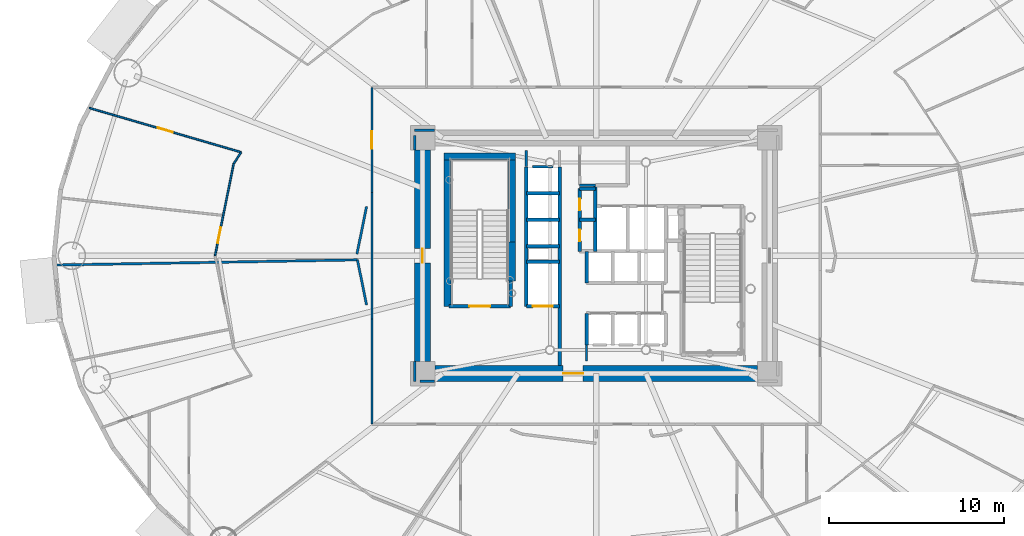
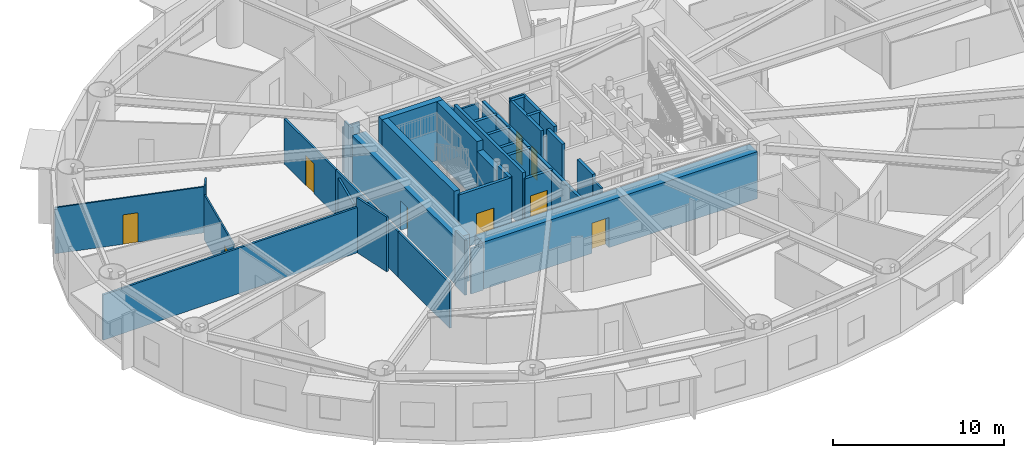
# One storey, part 9 of 21: 38 walls, 9 doors, 9 openings.
"""IFC4 building model written with IfcOpenShell, lengths in metres."""

from ifc_helpers import new_model, si_unit, direction, frame, frame_2d, origin, origin_2d, place, context, subcontext, project, spatial, rectangle, extrude, source, transform, mapped, material, layer, layer_set, type_object, element, fill, save


model = new_model("IFC4")

# Units and contexts
model_context = context("Model", 3, precision=1e-05, world=origin(), true_north=direction((0.0, 1.0)))
body_context = subcontext(model_context, "Body", "Model", "MODEL_VIEW")
ifc_project = project(units=[si_unit("LENGTHUNIT", "METRE"), si_unit("AREAUNIT", "SQUARE_METRE"), si_unit("VOLUMEUNIT", "CUBIC_METRE"), si_unit("PLANEANGLEUNIT", "RADIAN"), si_unit("MASSUNIT", "GRAM", prefix="KILO")], contexts=[model_context])

# Site, building, storey
site_placement = place(None, origin())
site = spatial("IfcSite", under=ifc_project, at=site_placement, CompositionType="ELEMENT")
building_placement = place(site_placement, origin())
building = spatial("IfcBuilding", under=site, at=building_placement, Name="Linh Dai School and Residence Tower", CompositionType="ELEMENT")
storey_placement = place(building_placement, frame((0.0, 0.0, 82.800048828125)))
storey = spatial("IfcBuildingStorey", under=building, at=storey_placement, Name="L19", CompositionType="ELEMENT", Elevation=82.800048828125)

# Walls
ifc_material_1 = material(Name="Autoclaved Aerated Concrete Blockwork", Category="masonry")
ifc_layer_1 = layer(ifc_material_1, 0.135009765625)
ifc_layer_set_1 = layer_set([ifc_layer_1], Name="Autoclaved Aerated Concrete Blockwork")
wall_type_1 = type_object("IfcWallType", Name="IW-CORR-135-EI90", PredefinedType="PARTITIONING", material=ifc_layer_set_1)
wall_1_placement = place(storey_placement, frame((4.9736328125, 26.466064453125, 0.0), z_axis=(0.0, 0.0, 1.0), x_axis=(0.999851881099, 0.017210922752, 0.0)))
element("IfcWall", 1, at=wall_1_placement, inside=storey, type_object=wall_type_1, Name="L19 Interior Partition Wall 001", PredefinedType="PARTITIONING", context=body_context, shape_type="SweptSolid", body=[
    extrude(rectangle(XDim=17.3486328125, YDim=0.135009765625, at=frame_2d((8.67431640625, 0.0))), origin(), (0.0, 0.0, 1.0), 3.23486328125),
])
wall_2_placement = place(storey_placement, frame((23.14990234375, 17.35009765625, 0.0), z_axis=(0.0, 0.0, 1.0), x_axis=(0.0, 1.0, 0.0)))
element("IfcWall", 2, at=wall_2_placement, inside=storey, type_object=wall_type_1, Name="L19 Interior Partition Wall 018", PredefinedType="PARTITIONING", context=body_context, shape_type="SweptSolid", body=[
    extrude(rectangle(XDim=6.011474609375, YDim=0.135009765625, at=frame_2d((3.005859375, 0.0))), origin(), (0.0, 0.0, 1.0), 3.23486328125),
])

# Wall, opening, door
wall_3_placement = place(storey_placement, frame((23.14990234375, 30.638427734375, 0.0), z_axis=(0.0, 0.0, 1.0), x_axis=(0.0, 1.0, 0.0)))
wall_3 = element("IfcWall", 3, at=wall_3_placement, inside=storey, type_object=wall_type_1, Name="L19 Interior Partition Wall 020", PredefinedType="PARTITIONING", context=body_context, shape_type="SweptSolid", body=[
    extrude(rectangle(XDim=6.011474609375, YDim=0.135009765625, at=frame_2d((3.005859375, 0.0))), origin(), (0.0, 0.0, 1.0), 3.23486328125),
])
opening_1_placement = place(wall_3_placement, frame((2.505859375, 0.0, 0.0)))
opening_1 = element("IfcOpeningElement", 4, at=opening_1_placement, cuts=wall_3, Name="Opening D03", PredefinedType="OPENING", context=body_context, shape_type="SweptSolid", body=[
    extrude(rectangle(XDim=1.0, YDim=2.14990234375, at=origin_2d()), frame((0.5, 0.07763671875, 1.074951171875), z_axis=(0.0, -1.0, 0.0), x_axis=(1.0, 0.0, 0.0)), (0.0, 0.0, 1.0), 0.155029296875),
])
ifc_material_2 = material(Name="Fire-Rated Solid Timber Entrance Door", Category="wood")
door_type_1 = type_object("IfcDoorType", Name="DR-FLAT-1000x2150-FD60S", OperationType="NOTDEFINED", PredefinedType="DOOR", material=ifc_material_2)
shared_shape_1 = source(origin(), body_context, "Body", "SweptSolid", [
    extrude(rectangle(XDim=1.0, YDim=2.14990234375, at=origin_2d()), frame((0.5, 0.02490234375, 1.074951171875), z_axis=(0.0, -1.0, 0.0), x_axis=(1.0, 0.0, 0.0)), (0.0, 0.0, 1.0), 0.050048828125),
])
door_1_placement = place(opening_1_placement, origin())
door_1 = element("IfcDoor", 5, at=door_1_placement, inside=storey, type_object=door_type_1, Name="L19 U1901 Apartment Entrance Door", OperationType="SINGLE_SWING_RIGHT", OverallHeight=2.14990234375, OverallWidth=1.0, PredefinedType="DOOR", context=body_context, shape_type="MappedRepresentation", body=[
    mapped(shared_shape_1, transform((0.0, 0.0, 0.0), x_axis=(1.0, 0.0, 0.0), y_axis=(0.0, 1.0, 0.0), z_axis=(0.0, 0.0, 1.0), scale=1.0)),
])
fill(opening_1, door_1)

# Walls
wall_4_placement = place(storey_placement, frame((35.050048828125, 31.050048828125, 0.0), z_axis=(0.0, 0.0, 1.0), x_axis=(1.0, 0.0, 0.0)))
element("IfcWall", 6, at=wall_4_placement, inside=storey, type_object=wall_type_1, Name="L19 Interior Partition Wall 047", PredefinedType="PARTITIONING", context=body_context, shape_type="SweptSolid", body=[
    extrude(rectangle(XDim=0.89990234375, YDim=0.135009765625, at=frame_2d((0.449951171875, 0.0))), origin(), (0.0, 0.0, 1.0), 3.89990234375),
])
wall_5_placement = place(storey_placement, frame((32.360107421875, 32.10009765625, 0.0), z_axis=(0.0, 0.0, 1.0), x_axis=(1.0, 0.0, 0.0)))
element("IfcWall", 7, at=wall_5_placement, inside=storey, type_object=wall_type_1, Name="L19 Interior Partition Wall 106", PredefinedType="PARTITIONING", context=body_context, shape_type="SweptSolid", body=[
    extrude(rectangle(XDim=1.179931640625, YDim=0.135009765625, at=frame_2d((0.58984375, 0.0))), origin(), (0.0, 0.0, 1.0), 3.48486328125),
])
wall_6_placement = place(storey_placement, frame((32.0, 33.0400390625, 0.0), z_axis=(0.0, 0.0, 1.0), x_axis=(0.0, -1.0, 0.0)))
element("IfcWall", 8, at=wall_6_placement, inside=storey, type_object=wall_type_1, Name="L19 Interior Partition Wall 108", PredefinedType="PARTITIONING", context=body_context, shape_type="SweptSolid", body=[
    extrude(rectangle(XDim=0.929931640625, YDim=0.135009765625, at=frame_2d((0.46484375, 0.0))), origin(), (0.0, 0.0, 1.0), 3.43505859375),
])
wall_7_placement = place(storey_placement, frame((35.449951171875, 21.889892578125, 0.0), z_axis=(0.0, 0.0, 1.0), x_axis=(0.0, -1.0, 0.0)))
element("IfcWall", 9, at=wall_7_placement, inside=storey, type_object=wall_type_1, Name="L19 Interior Partition Wall 110", PredefinedType="PARTITIONING", context=body_context, shape_type="SweptSolid", body=[
    extrude(rectangle(XDim=0.929931640625, YDim=0.135009765625, at=frame_2d((0.46484375, 0.0))), origin(), (0.0, 0.0, 1.0), 3.48486328125),
])
wall_8_placement = place(storey_placement, frame((23.14990234375, 23.37158203125, 0.0), z_axis=(0.0, 0.0, 1.0), x_axis=(0.0, 1.0, 0.0)))
element("IfcWall", 10, at=wall_8_placement, inside=storey, type_object=wall_type_1, Name="L19 Interior Partition Wall 117", PredefinedType="PARTITIONING", context=body_context, shape_type="SweptSolid", body=[
    extrude(rectangle(XDim=7.2568359375, YDim=0.135009765625, at=frame_2d((3.62841796875, 0.0))), origin(), (0.0, 0.0, 1.0), 3.23486328125),
])
wall_9_placement = place(storey_placement, frame((26.739990234375, 34.199951171875, 0.0), z_axis=(0.0, 0.0, 1.0), x_axis=(-1.0, 0.0, 0.0)))
element("IfcWall", 11, at=wall_9_placement, inside=storey, type_object=wall_type_1, Name="L19 Interior Partition Wall 119", PredefinedType="PARTITIONING", context=body_context, shape_type="SweptSolid", body=[
    extrude(rectangle(XDim=1.139892578125, YDim=0.135009765625, at=frame_2d((0.56982421875, 0.0))), origin(), (0.0, 0.0, 1.0), 3.23486328125),
])
wall_10_placement = place(storey_placement, frame((25.60009765625, 33.892578125, 0.0), z_axis=(0.0, 0.0, 1.0), x_axis=(0.0, -1.0, 0.0)))
element("IfcWall", 12, at=wall_10_placement, inside=storey, type_object=wall_type_1, Name="L19 Interior Partition Wall 120", PredefinedType="PARTITIONING", context=body_context, shape_type="SweptSolid", body=[
    extrude(rectangle(XDim=0.83251953125, YDim=0.135009765625, at=frame_2d((0.416259765625, 0.0))), origin(), (0.0, 0.0, 1.0), 3.89990234375),
])
wall_11_placement = place(storey_placement, frame((25.60009765625, 20.93994140625, 0.0), z_axis=(0.0, 0.0, 1.0), x_axis=(0.0, -1.0, 0.0)))
element("IfcWall", 13, at=wall_11_placement, inside=storey, type_object=wall_type_1, Name="L19 Interior Partition Wall 121", PredefinedType="PARTITIONING", context=body_context, shape_type="SweptSolid", body=[
    extrude(rectangle(XDim=1.139892578125, YDim=0.135009765625, at=frame_2d((0.56982421875, 0.0))), origin(), (0.0, 0.0, 1.0), 3.89990234375),
])
wall_12_placement = place(storey_placement, frame((25.907470703125, 19.800048828125, 0.0), z_axis=(0.0, 0.0, 1.0), x_axis=(1.0, 0.0, 0.0)))
element("IfcWall", 14, at=wall_12_placement, inside=storey, type_object=wall_type_1, Name="L19 Interior Partition Wall 122", PredefinedType="PARTITIONING", context=body_context, shape_type="SweptSolid", body=[
    extrude(rectangle(XDim=0.83251953125, YDim=0.135009765625, at=frame_2d((0.416259765625, 0.0))), origin(), (0.0, 0.0, 1.0), 3.23486328125),
])
wall_13_placement = place(storey_placement, frame((22.842529296875, 29.8203125, 0.0), z_axis=(0.0, 0.0, 1.0), x_axis=(-0.198274261102, -0.98014657954, 0.0)))
element("IfcWall", 15, at=wall_13_placement, inside=storey, type_object=wall_type_1, Name="L19 Interior Partition Wall 128", PredefinedType="PARTITIONING", context=body_context, shape_type="SweptSolid", body=[
    extrude(rectangle(XDim=2.783935546875, YDim=0.135009765625, at=frame_2d((1.39208984375, 0.0))), origin(), (0.0, 0.0, 1.0), 3.23486328125),
])
wall_14_placement = place(storey_placement, frame((22.319580078125, 26.7646484375, 0.0), z_axis=(0.0, 0.0, 1.0), x_axis=(0.198287516938, -0.980143897918, 0.0)))
element("IfcWall", 16, at=wall_14_placement, inside=storey, type_object=wall_type_1, Name="L19 Interior Partition Wall 130", PredefinedType="PARTITIONING", context=body_context, shape_type="SweptSolid", body=[
    extrude(rectangle(XDim=2.63720703125, YDim=0.135009765625, at=frame_2d((1.318603515625, 0.0))), origin(), (0.0, 0.0, 1.0), 3.89990234375),
])

# Wall, opening, door
ifc_material_3 = material(Name="Concrete B45 (C35/45)", Category="concrete")
ifc_layer_2 = layer(ifc_material_3, 0.199951171875)
ifc_layer_set_2 = layer_set([ifc_layer_2], Name="Concrete B45 (C35/45)")
wall_type_2 = type_object("IfcWallType", Name="IW-SHAFT-200-EI120", PredefinedType="PARTITIONING", material=ifc_layer_set_2)
wall_15_placement = place(storey_placement, frame((27.56005859375, 24.10009765625, 0.0), z_axis=(0.0, 0.0, 1.0), x_axis=(1.0, 0.0, 0.0)))
wall_15 = element("IfcWall", 17, at=wall_15_placement, inside=storey, type_object=wall_type_2, Name="L19 Interior Partition Wall 026", PredefinedType="PARTITIONING", context=body_context, shape_type="SweptSolid", body=[
    extrude(rectangle(XDim=3.5400390625, YDim=0.199951171875, at=frame_2d((1.77001953125, 0.0))), origin(), (0.0, 0.0, 1.0), 3.89990234375),
])
opening_2_placement = place(wall_15_placement, frame((1.169921875, 0.0, 0.0)))
opening_2 = element("IfcOpeningElement", 18, at=opening_2_placement, cuts=wall_15, Name="Opening D01", PredefinedType="OPENING", context=body_context, shape_type="SweptSolid", body=[
    extrude(rectangle(XDim=1.199951171875, YDim=2.14990234375, at=origin_2d()), frame((0.60009765625, 0.10986328125, 1.074951171875), z_axis=(0.0, -1.0, 0.0), x_axis=(1.0, 0.0, 0.0)), (0.0, 0.0, 1.0), 0.219970703125),
])
ifc_material_4 = material(Name="Fire-Rated Steel Door Leaf", Category="steel")
door_type_2 = type_object("IfcDoorType", Name="DR-STAIR-1200x2150-FD90S", OperationType="NOTDEFINED", PredefinedType="DOOR", material=ifc_material_4)
shared_shape_2 = source(origin(), body_context, "Body", "SweptSolid", [
    extrude(rectangle(XDim=1.199951171875, YDim=2.14990234375, at=origin_2d()), frame((0.60009765625, 0.02490234375, 1.074951171875), z_axis=(0.0, -1.0, 0.0), x_axis=(1.0, 0.0, 0.0)), (0.0, 0.0, 1.0), 0.050048828125),
])
door_2_placement = place(opening_2_placement, origin())
door_2 = element("IfcDoor", 19, at=door_2_placement, inside=storey, type_object=door_type_2, Name="L19 Core Smokeproof Exit Stair ST1 Door", OperationType="SINGLE_SWING_RIGHT", OverallHeight=2.14990234375, OverallWidth=1.199951171875, PredefinedType="DOOR", context=body_context, shape_type="MappedRepresentation", body=[
    mapped(shared_shape_2, transform((0.0, 0.0, 0.0), x_axis=(1.0, 0.0, 0.0), y_axis=(0.0, 1.0, 0.0), z_axis=(0.0, 0.0, 1.0), scale=1.0)),
])
fill(opening_2, door_2)

# Walls
wall_16_placement = place(storey_placement, frame((31.10009765625, 24.10009765625, 0.0), z_axis=(0.0, 0.0, 1.0), x_axis=(0.0, 1.0, 0.0)))
element("IfcWall", 20, at=wall_16_placement, inside=storey, type_object=wall_type_2, Name="L19 Interior Partition Wall 033", PredefinedType="PARTITIONING", context=body_context, shape_type="SweptSolid", body=[
    extrude(rectangle(XDim=1.43994140625, YDim=0.199951171875, at=frame_2d((0.719970703125, 0.0))), origin(), (0.0, 0.0, 1.0), 3.89990234375),
])
wall_17_placement = place(storey_placement, frame((32.0, 24.10009765625, 0.0), z_axis=(0.0, 0.0, 1.0), x_axis=(0.0, 1.0, 0.0)))
element("IfcWall", 21, at=wall_17_placement, inside=storey, type_object=wall_type_2, Name="L19 Interior Partition Wall 034", PredefinedType="PARTITIONING", context=body_context, shape_type="SweptSolid", body=[
    extrude(rectangle(XDim=8.0, YDim=0.199951171875, at=frame_2d((4.0, 0.0))), origin(), (0.0, 0.0, 1.0), 3.89990234375),
])

# Wall, opening, door
wall_18_placement = place(storey_placement, frame((32.0, 24.10009765625, 0.0), z_axis=(0.0, 0.0, 1.0), x_axis=(1.0, 0.0, 0.0)))
wall_18 = element("IfcWall", 22, at=wall_18_placement, inside=storey, type_object=wall_type_2, Name="L19 Interior Partition Wall 035", PredefinedType="PARTITIONING", context=body_context, shape_type="SweptSolid", body=[
    extrude(rectangle(XDim=1.89990234375, YDim=0.199951171875, at=frame_2d((0.949951171875, 0.0))), origin(), (0.0, 0.0, 1.0), 3.48486328125),
])
opening_3_placement = place(wall_18_placement, frame((0.375, 0.0, 0.0)))
opening_3 = element("IfcOpeningElement", 23, at=opening_3_placement, cuts=wall_18, Name="Opening LD-FF2", PredefinedType="OPENING", context=body_context, shape_type="SweptSolid", body=[
    extrude(rectangle(XDim=1.14990234375, YDim=2.14990234375, at=origin_2d()), frame((0.574951171875, 0.10986328125, 1.074951171875), z_axis=(0.0, -1.0, 0.0), x_axis=(1.0, 0.0, 0.0)), (0.0, 0.0, 1.0), 0.219970703125),
])
ifc_material_5 = material(Name="Fire-Rated Stainless Steel Firefighting Lift Door", Category="steel")
door_type_3 = type_object("IfcDoorType", Name="DR-LD-FF-1150x2150-FD120", OperationType="DOUBLE_DOOR_SLIDING", PredefinedType="USERDEFINED", material=ifc_material_5)
shared_shape_3 = source(origin(), body_context, "Body", "SweptSolid", [
    extrude(rectangle(XDim=1.14990234375, YDim=2.14990234375, at=origin_2d()), frame((0.574951171875, 0.02490234375, 1.074951171875), z_axis=(0.0, -1.0, 0.0), x_axis=(1.0, 0.0, 0.0)), (0.0, 0.0, 1.0), 0.050048828125),
])
door_3_placement = place(opening_3_placement, origin())
door_3 = element("IfcDoor", 24, at=door_3_placement, inside=storey, type_object=door_type_3, Name="L19 Lift FF2 Sliding Landing Door", ObjectType="LANDING DOOR", OperationType="DOUBLE_DOOR_SLIDING", OverallHeight=2.14990234375, OverallWidth=1.14990234375, PredefinedType="USERDEFINED", context=body_context, shape_type="MappedRepresentation", body=[
    mapped(shared_shape_3, transform((0.0, 0.0, 0.0), x_axis=(1.0, 0.0, 0.0), y_axis=(0.0, 1.0, 0.0), z_axis=(0.0, 0.0, 1.0), scale=1.0)),
])
fill(opening_3, door_3)

# Walls
for number, where, z_axis, x_axis, name in (
    (25, (32.0, 26.64990234375, 0.0), (0.0, 0.0, 1.0), (1.0, 0.0, 0.0), "L19 Interior Partition Wall 036"),
    (26, (32.0, 27.550048828125, 0.0), (0.0, 0.0, 1.0), (1.0, 0.0, 0.0), "L19 Interior Partition Wall 037"),
    (27, (32.0, 29.06005859375, 0.0), (0.0, 0.0, 1.0), (1.0, 0.0, 0.0), "L19 Interior Partition Wall 038"),
    (28, (32.0, 30.580078125, 0.0), (0.0, 0.0, 1.0), (1.0, 0.0, 0.0), "L19 Interior Partition Wall 039"),
):
    element("IfcWall", number, at=place(storey_placement, frame(where, z_axis=z_axis, x_axis=x_axis)), inside=storey, type_object=wall_type_2, Name=name, PredefinedType="PARTITIONING", context=body_context, shape_type="SweptSolid", body=[
        extrude(rectangle(XDim=1.89990234375, YDim=0.199951171875, at=frame_2d((0.949951171875, 0.0))), origin(), (0.0, 0.0, 1.0), 3.48486328125),
    ])
wall_19_placement = place(storey_placement, frame((33.89990234375, 20.699951171875, 0.0), z_axis=(0.0, 0.0, 1.0), x_axis=(0.0, 1.0, 0.0)))
element("IfcWall", 29, at=wall_19_placement, inside=storey, type_object=wall_type_2, Name="L19 Interior Partition Wall 041", PredefinedType="PARTITIONING", context=body_context, shape_type="SweptSolid", body=[
    extrude(rectangle(XDim=11.400146484375, YDim=0.199951171875, at=frame_2d((5.7001953125, 0.0))), origin(), (0.0, 0.0, 1.0), 3.48486328125),
])

# Wall, openings, doors
wall_20_placement = place(storey_placement, frame((35.050048828125, 27.25, 0.0), z_axis=(0.0, 0.0, 1.0), x_axis=(0.0, 1.0, 0.0)))
wall_20 = element("IfcWall", 30, at=wall_20_placement, inside=storey, type_object=wall_type_2, Name="L19 Interior Partition Wall 042", PredefinedType="PARTITIONING", context=body_context, shape_type="SweptSolid", body=[
    extrude(rectangle(XDim=3.60009765625, YDim=0.199951171875, at=frame_2d((1.800048828125, 0.0))), origin(), (0.0, 0.0, 1.0), 3.89990234375),
])
opening_4_placement = place(wall_20_placement, frame((0.590087890625, 0.0, 0.0)))
opening_4 = element("IfcOpeningElement", 31, at=opening_4_placement, cuts=wall_20, Name="Opening AD1", PredefinedType="OPENING", context=body_context, shape_type="SweptSolid", body=[
    extrude(rectangle(XDim=0.659912109375, YDim=2.050048828125, at=origin_2d()), frame((0.330078125, 0.10986328125, 1.02490234375), z_axis=(0.0, -1.0, 0.0), x_axis=(1.0, 0.0, 0.0)), (0.0, 0.0, 1.0), 0.219970703125),
])
opening_5_placement = place(wall_20_placement, frame((2.35009765625, 0.0, 0.0)))
opening_5 = element("IfcOpeningElement", 32, at=opening_5_placement, cuts=wall_20, Name="Opening AD1", PredefinedType="OPENING", context=body_context, shape_type="SweptSolid", body=[
    extrude(rectangle(XDim=0.659912109375, YDim=2.050048828125, at=origin_2d()), frame((0.330078125, 0.10986328125, 1.02490234375), z_axis=(0.0, -1.0, 0.0), x_axis=(1.0, 0.0, 0.0)), (0.0, 0.0, 1.0), 0.219970703125),
])
ifc_material_6 = material(Name="Fire-Rated Steel Riser Access Door", Category="steel")
door_type_4 = type_object("IfcDoorType", Name="DR-ACC-660x2050-FD90S", OperationType="NOTDEFINED", PredefinedType="USERDEFINED", material=ifc_material_6)
shared_shape_4 = source(origin(), body_context, "Body", "SweptSolid", [
    extrude(rectangle(XDim=0.659912109375, YDim=2.050048828125, at=origin_2d()), frame((0.330078125, 0.02490234375, 1.02490234375), z_axis=(0.0, -1.0, 0.0), x_axis=(1.0, 0.0, 0.0)), (0.0, 0.0, 1.0), 0.050048828125),
])
door_4_placement = place(opening_4_placement, origin())
door_4 = element("IfcDoor", 33, at=door_4_placement, inside=storey, type_object=door_type_4, Name="L19 Telecom and Data Riser Access Door", ObjectType="ACCESS DOOR", OperationType="SINGLE_SWING_LEFT", OverallHeight=2.050048828125, OverallWidth=0.659912109375, PredefinedType="USERDEFINED", context=body_context, shape_type="MappedRepresentation", body=[
    mapped(shared_shape_4, transform((0.0, 0.0, 0.0), x_axis=(1.0, 0.0, 0.0), y_axis=(0.0, 1.0, 0.0), z_axis=(0.0, 0.0, 1.0), scale=1.0)),
])
fill(opening_4, door_4)
door_5_placement = place(opening_5_placement, origin())
door_5 = element("IfcDoor", 34, at=door_5_placement, inside=storey, type_object=door_type_4, Name="L19 Mechanical and Plumbing Riser Access Door", ObjectType="ACCESS DOOR", OperationType="SINGLE_SWING_RIGHT", OverallHeight=2.050048828125, OverallWidth=0.659912109375, PredefinedType="USERDEFINED", context=body_context, shape_type="MappedRepresentation", body=[
    mapped(shared_shape_4, transform((0.0, 0.0, 0.0), x_axis=(1.0, 0.0, 0.0), y_axis=(0.0, 1.0, 0.0), z_axis=(0.0, 0.0, 1.0), scale=1.0)),
])
fill(opening_5, door_5)

# Walls
for number, where, z_axis, x_axis, name in (
    (35, (35.050048828125, 29.050048828125, 0.0), (0.0, 0.0, 1.0), (1.0, 0.0, 0.0), "L19 Interior Partition Wall 044"),
    (36, (35.050048828125, 30.85009765625, 0.0), (0.0, 0.0, 1.0), (1.0, 0.0, 0.0), "L19 Interior Partition Wall 045"),
):
    element("IfcWall", number, at=place(storey_placement, frame(where, z_axis=z_axis, x_axis=x_axis)), inside=storey, type_object=wall_type_2, Name=name, PredefinedType="PARTITIONING", context=body_context, shape_type="SweptSolid", body=[
        extrude(rectangle(XDim=0.89990234375, YDim=0.199951171875, at=frame_2d((0.449951171875, 0.0))), origin(), (0.0, 0.0, 1.0), 3.89990234375),
    ])
for number, where, z_axis, x_axis, name in (
    (37, (35.449951171875, 21.89990234375, 0.0), (0.0, 0.0, 1.0), (0.0, 1.0, 0.0), "L19 Interior Partition Wall 048"),
    (38, (35.449951171875, 25.449951171875, 0.0), (0.0, 0.0, 1.0), (0.0, 1.0, 0.0), "L19 Interior Partition Wall 050"),
):
    element("IfcWall", number, at=place(storey_placement, frame(where, z_axis=z_axis, x_axis=x_axis)), inside=storey, type_object=wall_type_2, Name=name, PredefinedType="PARTITIONING", context=body_context, shape_type="SweptSolid", body=[
        extrude(rectangle(XDim=1.800048828125, YDim=0.199951171875, at=frame_2d((0.89990234375, 0.0))), origin(), (0.0, 0.0, 1.0), 3.89990234375),
    ])
wall_21_placement = place(storey_placement, frame((35.949951171875, 27.25, 0.0), z_axis=(0.0, 0.0, 1.0), x_axis=(0.0, 1.0, 0.0)))
element("IfcWall", 39, at=wall_21_placement, inside=storey, type_object=wall_type_2, Name="L19 Interior Partition Wall 052", PredefinedType="PARTITIONING", context=body_context, shape_type="SweptSolid", body=[
    extrude(rectangle(XDim=3.800048828125, YDim=0.199951171875, at=frame_2d((1.89990234375, 0.0))), origin(), (0.0, 0.0, 1.0), 3.89990234375),
])

# Wall, opening, door
ifc_material_7 = material(Name="Gypsum Plasterboard Acoustic Stud Partition", Category="masonry")
ifc_layer_3 = layer(ifc_material_7, 0.10009765625)
ifc_layer_set_3 = layer_set([ifc_layer_3], Name="Gypsum Plasterboard Acoustic Stud Partition")
wall_type_3 = type_object("IfcWallType", Name="IW-UNIT-100", PredefinedType="PARTITIONING", material=ifc_layer_set_3)
wall_22_placement = place(storey_placement, frame((6.95068359375, 35.472900390625, 0.0), z_axis=(0.0, 0.0, 1.0), x_axis=(0.959994871391, -0.280017583204, 0.0)))
wall_22 = element("IfcWall", 40, at=wall_22_placement, inside=storey, type_object=wall_type_3, Name="L19 Interior Partition Wall 004", PredefinedType="PARTITIONING", context=body_context, shape_type="SweptSolid", body=[
    extrude(rectangle(XDim=9.06396484375, YDim=0.10009765625, at=frame_2d((4.531982421875, 0.0))), origin(), (0.0, 0.0, 1.0), 3.284912109375),
])
opening_6_placement = place(wall_22_placement, frame((4.08203125, 0.0, 0.0)))
opening_6 = element("IfcOpeningElement", 41, at=opening_6_placement, cuts=wall_22, Name="Opening D05", PredefinedType="OPENING", context=body_context, shape_type="SweptSolid", body=[
    extrude(rectangle(XDim=0.89990234375, YDim=2.10009765625, at=origin_2d()), frame((0.449951171875, 0.06005859375, 1.050048828125), z_axis=(0.0, -1.0, 0.0), x_axis=(1.0, 0.0, 0.0)), (0.0, 0.0, 1.0), 0.1201171875),
])
ifc_material_8 = material(Name="Engineered Timber Internal Door", Category="wood")
door_type_5 = type_object("IfcDoorType", Name="DR-INT-900x2100", OperationType="NOTDEFINED", PredefinedType="DOOR", material=ifc_material_8)
shared_shape_5 = source(origin(), body_context, "Body", "SweptSolid", [
    extrude(rectangle(XDim=0.89990234375, YDim=2.10009765625, at=origin_2d()), frame((0.449951171875, 0.02490234375, 1.050048828125), z_axis=(0.0, -1.0, 0.0), x_axis=(1.0, 0.0, 0.0)), (0.0, 0.0, 1.0), 0.050048828125),
])
door_6_placement = place(opening_6_placement, origin())
door_6 = element("IfcDoor", 42, at=door_6_placement, inside=storey, type_object=door_type_5, Name="L19 Apartment U1901 Principal Bedroom 3 Door", OperationType="SINGLE_SWING_LEFT", OverallHeight=2.10009765625, OverallWidth=0.89990234375, PredefinedType="DOOR", context=body_context, shape_type="MappedRepresentation", body=[
    mapped(shared_shape_5, transform((0.0, 0.0, 0.0), x_axis=(1.0, 0.0, 0.0), y_axis=(0.0, 1.0, 0.0), z_axis=(0.0, 0.0, 1.0), scale=1.0)),
])
fill(opening_6, door_6)

wall_23_placement = place(storey_placement, frame((14.159912109375, 27.0, 0.0), z_axis=(0.0, 0.0, 1.0), x_axis=(0.198292702032, 0.980142848936, 0.0)))
wall_23 = element("IfcWall", 43, at=wall_23_placement, inside=storey, type_object=wall_type_3, Name="L19 Interior Partition Wall 011", PredefinedType="PARTITIONING", context=body_context, shape_type="SweptSolid", body=[
    extrude(rectangle(XDim=5.3916015625, YDim=0.10009765625, at=frame_2d((2.69580078125, 0.0))), origin(), (0.0, 0.0, 1.0), 3.23486328125),
])
opening_7_placement = place(wall_23_placement, frame((0.748779296875, 0.0, 0.0)))
opening_7 = element("IfcOpeningElement", 44, at=opening_7_placement, cuts=wall_23, Name="Opening D05", PredefinedType="OPENING", context=body_context, shape_type="SweptSolid", body=[
    extrude(rectangle(XDim=0.89990234375, YDim=2.10009765625, at=origin_2d()), frame((0.449951171875, 0.06005859375, 1.050048828125), z_axis=(0.0, -1.0, 0.0), x_axis=(1.0, 0.0, 0.0)), (0.0, 0.0, 1.0), 0.1201171875),
])
door_7_placement = place(opening_7_placement, origin())
door_7 = element("IfcDoor", 45, at=door_7_placement, inside=storey, type_object=door_type_5, Name="L19 Apartment U1901 Study Door", OperationType="SINGLE_SWING_RIGHT", OverallHeight=2.10009765625, OverallWidth=0.89990234375, PredefinedType="DOOR", context=body_context, shape_type="MappedRepresentation", body=[
    mapped(shared_shape_5, transform((0.0, 0.0, 0.0), x_axis=(1.0, 0.0, 0.0), y_axis=(0.0, 1.0, 0.0), z_axis=(0.0, 0.0, 1.0), scale=1.0)),
])
fill(opening_7, door_7)

# Walls
wall_24_placement = place(storey_placement, frame((15.22900390625, 32.284423828125, 0.0), z_axis=(0.0, 0.0, 1.0), x_axis=(0.545297991952, 0.838242268067, 0.0)))
element("IfcWall", 46, at=wall_24_placement, inside=storey, type_object=wall_type_3, Name="L19 Interior Partition Wall 013", PredefinedType="PARTITIONING", context=body_context, shape_type="SweptSolid", body=[
    extrude(rectangle(XDim=0.77587890625, YDim=0.10009765625, at=frame_2d((0.387939453125, 0.0))), origin(), (0.0, 0.0, 1.0), 3.89990234375),
])
ifc_layer_4 = layer(ifc_material_3, 0.39990234375)
ifc_layer_set_4 = layer_set([ifc_layer_4], Name="Concrete B45 (C35/45)")
wall_type_4 = type_object("IfcWallType", Name="WL-CORE400", PredefinedType="SHEAR", material=ifc_layer_set_4)
wall_25_placement = place(storey_placement, frame((27.47998046875, 24.10009765625, 0.0), z_axis=(0.0, 0.0, 1.0), x_axis=(0.0, 1.0, 0.0)))
element("IfcWall", 47, at=wall_25_placement, inside=storey, type_object=wall_type_4, Name="L19 Core Stair ST1 Bearing Wall W", PredefinedType="SHEAR", context=body_context, shape_type="SweptSolid", body=[
    extrude(rectangle(XDim=8.599853515625, YDim=0.39990234375, at=frame_2d((4.2998046875, 0.0))), origin(), (0.0, 0.0, 1.0), 4.199951171875),
])
wall_26_placement = place(storey_placement, frame((31.179931640625, 27.800048828125, 0.0), z_axis=(0.0, 0.0, 1.0), x_axis=(0.0, 1.0, 0.0)))
element("IfcWall", 48, at=wall_26_placement, inside=storey, type_object=wall_type_4, Name="L19 Core Stair ST1 Bearing Wall E", PredefinedType="SHEAR", context=body_context, shape_type="SweptSolid", body=[
    extrude(rectangle(XDim=4.89990234375, YDim=0.39990234375, at=frame_2d((2.449951171875, 0.0))), origin(), (0.0, 0.0, 1.0), 4.199951171875),
])
wall_27_placement = place(storey_placement, frame((27.280029296875, 32.699951171875, 0.0), z_axis=(0.0, 0.0, 1.0), x_axis=(1.0, 0.0, 0.0)))
element("IfcWall", 49, at=wall_27_placement, inside=storey, type_object=wall_type_4, Name="L19 Core Stair ST1 Bearing Wall N", PredefinedType="SHEAR", context=body_context, shape_type="SweptSolid", body=[
    extrude(rectangle(XDim=4.099853515625, YDim=0.39990234375, at=frame_2d((2.0498046875, 0.0))), origin(), (0.0, 0.0, 1.0), 4.199951171875),
])
wall_28_placement = place(storey_placement, frame((31.179931640625, 25.550048828125, 0.0), z_axis=(0.0, 0.0, 1.0), x_axis=(0.0, 1.0, 0.0)))
element("IfcWall", 50, at=wall_28_placement, inside=storey, type_object=wall_type_4, Name="L19 Internal Core Shear Wall IW", PredefinedType="SHEAR", context=body_context, shape_type="SweptSolid", body=[
    extrude(rectangle(XDim=2.25, YDim=0.39990234375, at=frame_2d((1.125, 0.0))), origin(), (0.0, 0.0, 1.0), 3.5),
])

# Wall, opening, door
ifc_material_9 = material(Name="Concrete B60 (C50/60)", Category="concrete")
ifc_layer_5 = layer(ifc_material_9, 0.89990234375)
ifc_layer_set_5 = layer_set([ifc_layer_5], Name="Concrete B60 (C50/60)")
wall_type_5 = type_object("IfcWallType", Name="WL-CORE900", PredefinedType="SHEAR", material=ifc_layer_set_5)
wall_29_placement = place(storey_placement, frame((45.25, 20.25, 0.0), z_axis=(0.0, 0.0, 1.0), x_axis=(-1.0, 0.0, 0.0)))
wall_29 = element("IfcWall", 51, at=wall_29_placement, inside=storey, type_object=wall_type_5, Name="L19 Central Core Shear Wall S", PredefinedType="SHEAR", context=body_context, shape_type="SweptSolid", body=[
    extrude(rectangle(XDim=18.5, YDim=0.89990234375, at=frame_2d((9.25, 0.0))), origin(), (0.0, 0.0, 1.0), 3.349853515625),
])
opening_8_placement = place(wall_29_placement, frame((10.0, 0.0, 0.0)))
opening_8 = element("IfcOpeningElement", 52, at=opening_8_placement, cuts=wall_29, Name="Opening D02", PredefinedType="OPENING", context=body_context, shape_type="SweptSolid", body=[
    extrude(rectangle(XDim=1.14990234375, YDim=2.14990234375, at=origin_2d()), frame((0.574951171875, 0.4599609375, 1.074951171875), z_axis=(0.0, -1.0, 0.0), x_axis=(1.0, 0.0, 0.0)), (0.0, 0.0, 1.0), 0.919921875),
])
ifc_material_10 = material(Name="Fire-Rated Glazed Steel Lobby Door", Category="steel")
door_type_6 = type_object("IfcDoorType", Name="DR-LOBBY-1150x2150-FD90S", OperationType="NOTDEFINED", PredefinedType="DOOR", material=ifc_material_10)
shared_shape_6 = source(origin(), body_context, "Body", "SweptSolid", [
    extrude(rectangle(XDim=1.14990234375, YDim=2.14990234375, at=origin_2d()), frame((0.574951171875, 0.02490234375, 1.074951171875), z_axis=(0.0, -1.0, 0.0), x_axis=(1.0, 0.0, 0.0)), (0.0, 0.0, 1.0), 0.050048828125),
])
door_8_placement = place(opening_8_placement, origin())
door_8 = element("IfcDoor", 53, at=door_8_placement, inside=storey, type_object=door_type_6, Name="L19 Passenger Foyer Access Door", OperationType="SINGLE_SWING_LEFT", OverallHeight=2.14990234375, OverallWidth=1.14990234375, PredefinedType="DOOR", context=body_context, shape_type="MappedRepresentation", body=[
    mapped(shared_shape_6, transform((0.0, 0.0, 0.0), x_axis=(1.0, 0.0, 0.0), y_axis=(0.0, 1.0, 0.0), z_axis=(0.0, 0.0, 1.0), scale=1.0)),
])
fill(opening_8, door_8)

wall_30_placement = place(storey_placement, frame((26.050048828125, 20.949951171875, 0.0), z_axis=(0.0, 0.0, 1.0), x_axis=(0.0, 1.0, 0.0)))
wall_30 = element("IfcWall", 54, at=wall_30_placement, inside=storey, type_object=wall_type_5, Name="L19 Central Core Shear Wall W", PredefinedType="SHEAR", context=body_context, shape_type="SweptSolid", body=[
    extrude(rectangle(XDim=12.10009765625, YDim=0.89990234375, at=frame_2d((6.050048828125, 0.0))), origin(), (0.0, 0.0, 1.0), 3.349853515625),
])
opening_9_placement = place(wall_30_placement, frame((5.639892578125, 0.0, 0.0)))
opening_9 = element("IfcOpeningElement", 55, at=opening_9_placement, cuts=wall_30, Name="Opening D06", PredefinedType="OPENING", context=body_context, shape_type="SweptSolid", body=[
    extrude(rectangle(XDim=0.820068359375, YDim=2.10009765625, at=origin_2d()), frame((0.41015625, 0.4599609375, 1.050048828125), z_axis=(0.0, -1.0, 0.0), x_axis=(1.0, 0.0, 0.0)), (0.0, 0.0, 1.0), 0.919921875),
])
ifc_material_11 = material(Name="Moisture-Resistant Timber Bathroom Door", Category="wood")
door_type_7 = type_object("IfcDoorType", Name="DR-WET-820x2100", OperationType="NOTDEFINED", PredefinedType="DOOR", material=ifc_material_11)
shared_shape_7 = source(origin(), body_context, "Body", "SweptSolid", [
    extrude(rectangle(XDim=0.820068359375, YDim=2.10009765625, at=origin_2d()), frame((0.41015625, 0.02490234375, 1.050048828125), z_axis=(0.0, -1.0, 0.0), x_axis=(1.0, 0.0, 0.0)), (0.0, 0.0, 1.0), 0.050048828125),
])
door_9_placement = place(opening_9_placement, origin())
door_9 = element("IfcDoor", 56, at=door_9_placement, inside=storey, type_object=door_type_7, Name="L19 Firefighting Lobby Door", OperationType="SINGLE_SWING_LEFT", OverallHeight=2.10009765625, OverallWidth=0.820068359375, PredefinedType="DOOR", context=body_context, shape_type="MappedRepresentation", body=[
    mapped(shared_shape_7, transform((0.0, 0.0, 0.0), x_axis=(1.0, 0.0, 0.0), y_axis=(0.0, 1.0, 0.0), z_axis=(0.0, 0.0, 1.0), scale=1.0)),
])
fill(opening_9, door_9)

save(model, "model.ifc")
